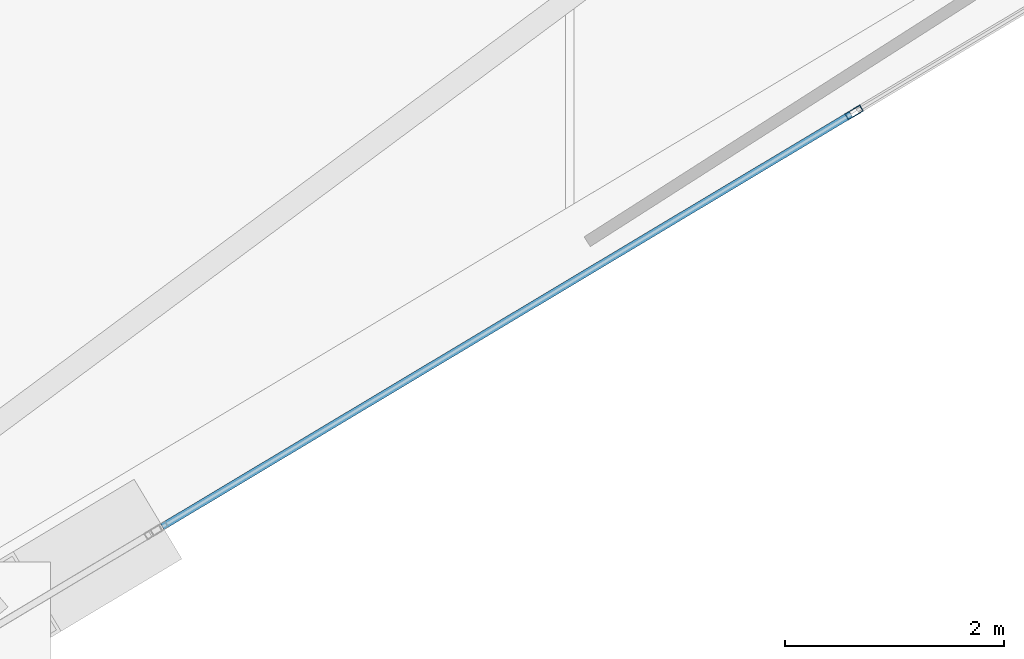
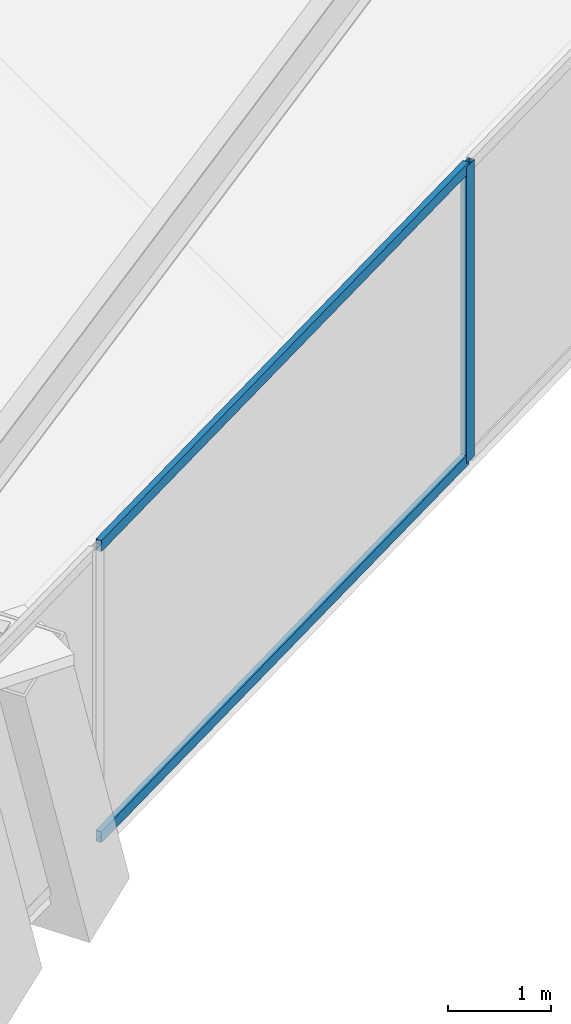
# One storey, part 7 of 22: 3 members, 1 element without a shape of its own.
"""IFC4 building model written with IfcOpenShell, lengths in metres."""

from ifc_helpers import new_model, si_unit, direction, frame, origin, origin_2d, place, context, subcontext, project, spatial, hollow_rectangle, extrude, material, layer, layer_set, material_profile, profile_set, type_object, element, aggregate, save


model = new_model("IFC4")

# Units and contexts
model_context = context("Model", 3, precision=1e-05, world=origin(), true_north=direction((0.0, 1.0)))
body_context = subcontext(model_context, "Body", "Model", "MODEL_VIEW")
ifc_project = project(units=[si_unit("LENGTHUNIT", "METRE"), si_unit("AREAUNIT", "SQUARE_METRE"), si_unit("VOLUMEUNIT", "CUBIC_METRE"), si_unit("PLANEANGLEUNIT", "RADIAN"), si_unit("MASSUNIT", "GRAM", prefix="KILO")], contexts=[model_context])

# Site, building, storey
site_placement = place(None, origin())
site = spatial("IfcSite", under=ifc_project, at=site_placement, CompositionType="ELEMENT")
building_placement = place(site_placement, origin())
building = spatial("IfcBuilding", under=site, at=building_placement, Name="Qianvela Tower", CompositionType="ELEMENT")
storey_placement = place(building_placement, frame((0.0, 0.0, 173.5)))
storey = spatial("IfcBuildingStorey", under=building, at=storey_placement, Name="L44", CompositionType="ELEMENT", Elevation=173.5)

# Curtain wall, members
ifc_material_1 = material(Name="Anodised Architectural Aluminium and Low-E Glass", Category="aluminium")
ifc_layer = layer(ifc_material_1, 0.169921875)
ifc_layer_set = layer_set([ifc_layer], Name="Anodised Architectural Aluminium and Low-E Glass")
curtain_wall_type = type_object("IfcCurtainWallType", Name="CW-COLIV-Z34", PredefinedType="USERDEFINED", material=ifc_layer_set)
curtain_wall_placement = place(storey_placement, origin())
curtain_wall = element("IfcCurtainWall", 1, at=curtain_wall_placement, inside=storey, type_object=curtain_wall_type, Name="L44 CW-COLIV-Z34 Curtain Wall 06C", ObjectType="CURTAIN_WALL_SYSTEM", PredefinedType="USERDEFINED")
ifc_material_2 = material(Name="Anodised Architectural Aluminium 6063-T6", Category="aluminium")
ifc_material_profile_1 = material_profile(ifc_material_2, hollow_rectangle(XDim=0.06494140625, YDim=0.159912109375, WallThickness=0.0048828125, at=origin_2d()), Name="ALU-MULL-65x160")
ifc_profile_set_1 = profile_set([ifc_material_profile_1], Name="Anodised Architectural Aluminium 6063-T6")
member_type_1 = type_object("IfcMemberType", Name="CW-COLIV-Z34-MULL", PredefinedType="MULLION", material=ifc_profile_set_1)
member_1_placement = place(storey_placement, frame((52.248779296875, 20.784423828125, 0.0), z_axis=(0.0, 0.0, 1.0), x_axis=(-0.513735761782, 0.857948464109, 0.0)))
member_1 = element("IfcMember", 2, at=member_1_placement, type_object=member_type_1, Name="CW-4 mullion 2", PredefinedType="MULLION", context=body_context, shape_type="SweptSolid", body=[
    extrude(hollow_rectangle(XDim=0.06494140625, YDim=0.159912109375, WallThickness=0.0048828125, at=origin_2d()), origin(), (0.0, 0.0, 1.0), 3.52001953125),
])
ifc_material_3 = material(Name="Anodised Architectural Aluminium 6063-T6", Category="aluminium")
ifc_material_profile_2 = material_profile(ifc_material_3, hollow_rectangle(XDim=0.06494140625, YDim=0.1298828125, WallThickness=0.00439453125, at=origin_2d()), Name="ALU-TRAN-65x130")
ifc_profile_set_2 = profile_set([ifc_material_profile_2], Name="Anodised Architectural Aluminium 6063-T6")
member_type_2 = type_object("IfcMemberType", Name="CW-COLIV-Z34-TRAN", PredefinedType="USERDEFINED", material=ifc_profile_set_2)
member_2_placement = place(storey_placement, frame((45.919677734375, 16.99462890625, 0.032470703125), z_axis=(0.857947208924, 0.513737857959, 0.0), x_axis=(-0.513737857959, 0.857947208924, 0.0)))
member_2 = element("IfcMember", 3, at=member_2_placement, type_object=member_type_2, Name="CW-4 transom 1.1", ObjectType="TRANSOM", PredefinedType="USERDEFINED", context=body_context, shape_type="SweptSolid", body=[
    extrude(hollow_rectangle(XDim=0.06494140625, YDim=0.1298828125, WallThickness=0.00439453125, at=origin_2d()), origin(), (0.0, 0.0, 1.0), 7.344482421875),
])
member_3_placement = place(storey_placement, frame((45.919677734375, 16.99462890625, 3.487548828125), z_axis=(0.857947208924, 0.513737857959, 0.0), x_axis=(-0.513737857959, 0.857947208924, 0.0)))
member_3 = element("IfcMember", 4, at=member_3_placement, type_object=member_type_2, Name="CW-4 transom 1.2", ObjectType="TRANSOM", PredefinedType="USERDEFINED", context=body_context, shape_type="SweptSolid", body=[
    extrude(hollow_rectangle(XDim=0.06494140625, YDim=0.1298828125, WallThickness=0.00439453125, at=origin_2d()), origin(), (0.0, 0.0, 1.0), 7.344482421875),
])
aggregate(curtain_wall, [member_1, member_2, member_3])

save(model, "model.ifc")
